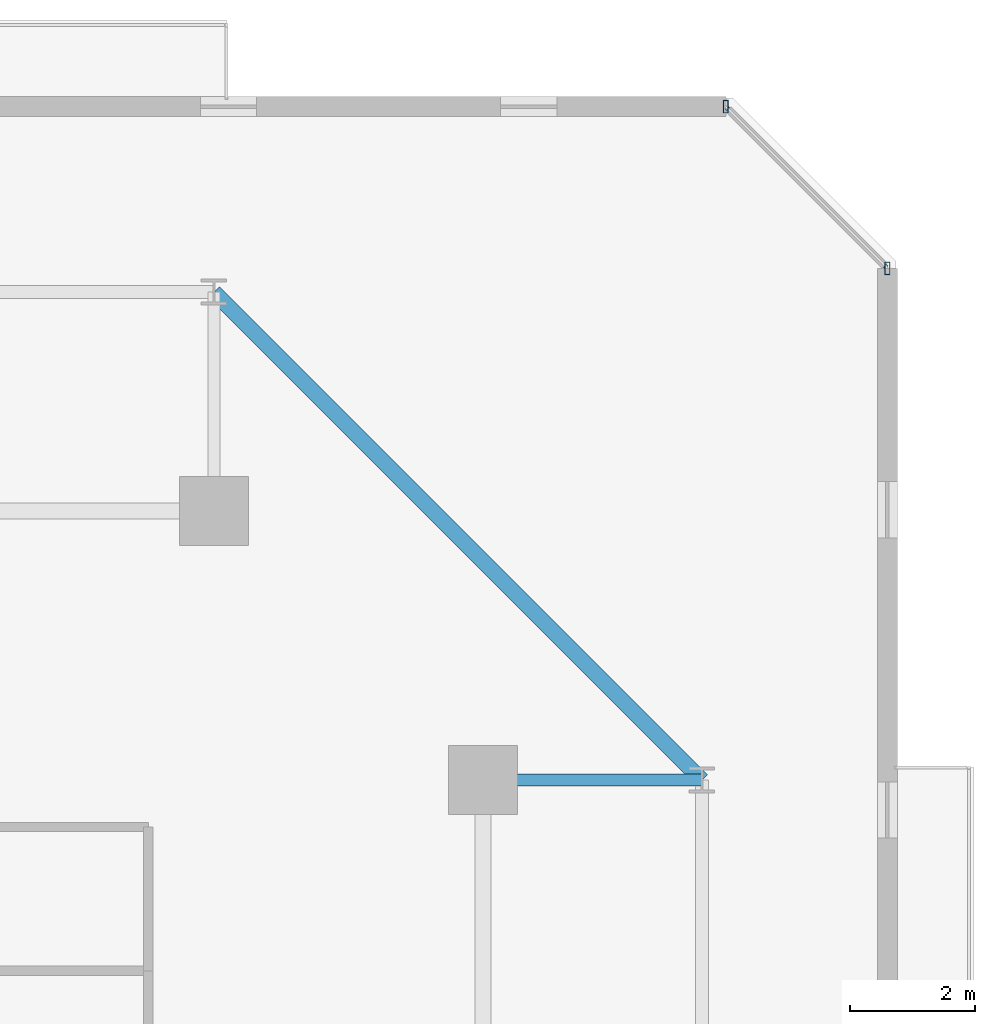
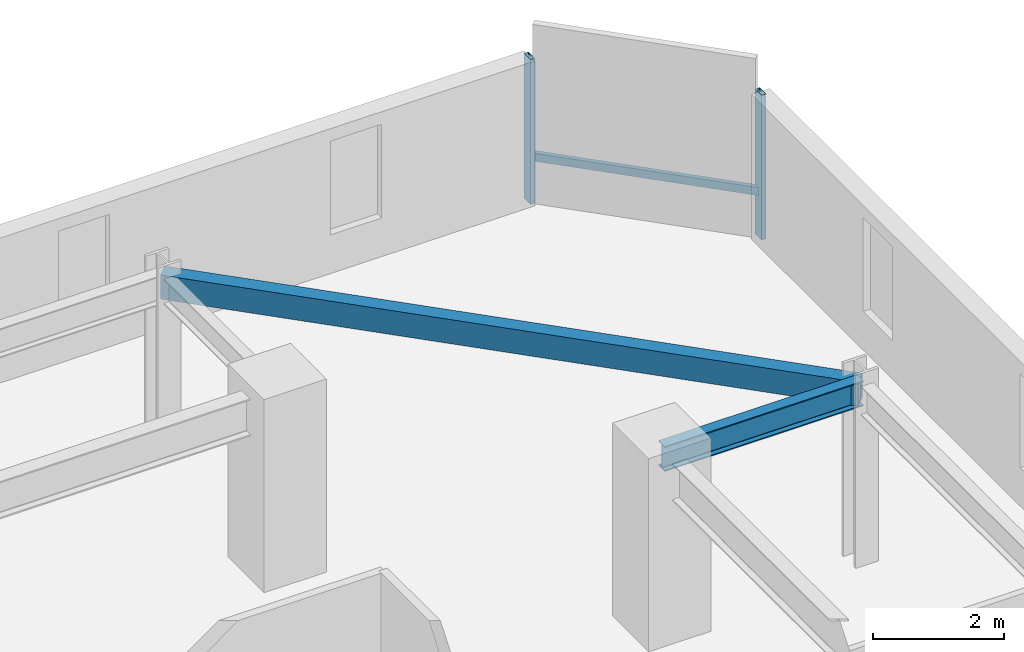
# One storey, part 17 of 33: 3 members, 2 beams, 1 element without a shape of its own.
"""IFC4 building model written with IfcOpenShell, lengths in metres."""

from ifc_helpers import new_model, si_unit, direction, frame, origin, origin_2d, place, context, subcontext, project, spatial, hollow_rectangle, i_section, extrude, material, material_profile, profile_set, type_object, element, aggregate, save


model = new_model("IFC4")

# Units and contexts
model_context = context("Model", 3, precision=1e-05, world=origin(), true_north=direction((0.0, 1.0)))
body_context = subcontext(model_context, "Body", "Model", "MODEL_VIEW")
ifc_project = project(units=[si_unit("LENGTHUNIT", "METRE"), si_unit("AREAUNIT", "SQUARE_METRE"), si_unit("VOLUMEUNIT", "CUBIC_METRE"), si_unit("PLANEANGLEUNIT", "RADIAN"), si_unit("MASSUNIT", "GRAM", prefix="KILO")], contexts=[model_context])

# Site, building, storey
site_placement = place(None, origin())
site = spatial("IfcSite", under=ifc_project, at=site_placement, CompositionType="ELEMENT")
building_placement = place(site_placement, origin())
building = spatial("IfcBuilding", under=site, at=building_placement, Name="Thornwick Lancets Civic Towers", CompositionType="ELEMENT")
storey_placement = place(building_placement, frame((0.0, 0.0, 163.5)))
storey = spatial("IfcBuildingStorey", under=building, at=storey_placement, Name="L43", CompositionType="ELEMENT", Elevation=163.5)

# Beams
ifc_material_1 = material(Name="Steel S355JR", Category="steel")
ifc_material_profile_1 = material_profile(ifc_material_1, i_section(OverallWidth=0.19287109375, OverallDepth=0.46728515625, WebThickness=0.011474609375, FlangeThickness=0.01953125, FilletRadius=0.01025390625, at=origin_2d()), Name="UKB 457x191x98")
ifc_profile_set_1 = profile_set([ifc_material_profile_1], Name="Steel S355JR")
beam_type_1 = type_object("IfcBeamType", Name="BM_JOIST_457_98", PredefinedType="JOIST", material=ifc_profile_set_1)
beam_1_placement = place(storey_placement, frame((105.800048828125, 40.0, 3.12646484375), z_axis=(1.0, 0.0, 0.0), x_axis=(0.0, 1.0, 0.0)))
element("IfcBeam", 1, at=beam_1_placement, inside=storey, type_object=beam_type_1, Name="BM-RAD-L43-B03", PredefinedType="JOIST", context=body_context, shape_type="SweptSolid", body=[
    extrude(i_section(OverallWidth=0.19287109375, OverallDepth=0.46728515625, WebThickness=0.011474609375, FlangeThickness=0.01953125, FilletRadius=0.01025390625, at=origin_2d()), origin(), (0.0, 0.0, 1.0), 3.5),
])
ifc_material_profile_2 = material_profile(ifc_material_1, hollow_rectangle(XDim=0.25, YDim=0.449951171875, WallThickness=0.01611328125, at=origin_2d()), Name="RHS 450x250x16")
ifc_profile_set_2 = profile_set([ifc_material_profile_2], Name="Steel S355JR")
beam_type_2 = type_object("IfcBeamType", Name="BM_RING_RHS450", PredefinedType="BEAM", material=ifc_profile_set_2)
beam_2_placement = place(storey_placement, frame((109.300048828125, 40.0, 3.135009765625), z_axis=(-0.707106781187, 0.707106781187, 0.0), x_axis=(-0.707106781187, -0.707106781187, 0.0)))
element("IfcBeam", 2, at=beam_2_placement, inside=storey, type_object=beam_type_2, Name="BM-CHAMF-L43-B-C0", PredefinedType="BEAM", context=body_context, shape_type="SweptSolid", body=[
    extrude(hollow_rectangle(XDim=0.25, YDim=0.449951171875, WallThickness=0.01611328125, at=origin_2d()), origin(), (0.0, 0.0, 1.0), 11.031005859375),
])

# Curtain wall, members
ifc_material_2 = material(Name="Mid-zone chamfered-corner unitised glass curtain wall", Category="glass")
curtain_wall_type = type_object("IfcCurtainWallType", Name="CW_SYS_04", PredefinedType="NOTDEFINED", material=ifc_material_2)
curtain_wall_placement = place(storey_placement, origin())
curtain_wall = element("IfcCurtainWall", 3, at=curtain_wall_placement, inside=storey, type_object=curtain_wall_type, Name="L43 Curtain Wall CW-L43-B-E3", PredefinedType="NOTDEFINED")
ifc_material_3 = material(Name="Thermally broken bronze aluminium S355", Category="steel")
ifc_material_profile_3 = material_profile(ifc_material_3, hollow_rectangle(XDim=0.080078125, YDim=0.199951171875, WallThickness=0.006103515625, at=origin_2d()), Name="RHS 200x80x6")
ifc_profile_set_3 = profile_set([ifc_material_profile_3], Name="Thermally broken bronze aluminium S355")
member_type_1 = type_object("IfcMemberType", Name="CW_MUL_200", PredefinedType="MULLION", material=ifc_profile_set_3)
member_1_placement = place(storey_placement, frame((112.2646484375, 48.181396484375, 0.0), z_axis=(0.0, 0.0, 1.0), x_axis=(1.0, 0.0, 0.0)))
member_1 = element("IfcMember", 4, at=member_1_placement, type_object=member_type_1, Name="CW-L43-B-E3 Mullion 0", PredefinedType="MULLION", context=body_context, shape_type="SweptSolid", body=[
    extrude(hollow_rectangle(XDim=0.080078125, YDim=0.199951171875, WallThickness=0.006103515625, at=origin_2d()), origin(), (0.0, 0.0, 1.0), 2.699951171875),
])
member_2_placement = place(storey_placement, frame((109.681396484375, 50.7646484375, 0.0), z_axis=(0.0, 0.0, 1.0), x_axis=(1.0, 0.0, 0.0)))
member_2 = element("IfcMember", 5, at=member_2_placement, type_object=member_type_1, Name="CW-L43-B-E3 Mullion 1", PredefinedType="MULLION", context=body_context, shape_type="SweptSolid", body=[
    extrude(hollow_rectangle(XDim=0.080078125, YDim=0.199951171875, WallThickness=0.006103515625, at=origin_2d()), origin(), (0.0, 0.0, 1.0), 2.699951171875),
])
ifc_material_profile_4 = material_profile(ifc_material_3, hollow_rectangle(XDim=0.074951171875, YDim=0.14990234375, WallThickness=0.0048828125, at=origin_2d()), Name="RHS 150x75x5")
ifc_profile_set_4 = profile_set([ifc_material_profile_4], Name="Thermally broken bronze aluminium S355")
member_type_2 = type_object("IfcMemberType", Name="CW_TRN_150", PredefinedType="USERDEFINED", material=ifc_profile_set_4)
member_3_placement = place(storey_placement, frame((112.25048828125, 48.195556640625, 0.85009765625), z_axis=(-0.707106781187, 0.707106781187, 0.0), x_axis=(-0.707106781187, -0.707106781187, 0.0)))
member_3 = element("IfcMember", 6, at=member_3_placement, type_object=member_type_2, Name="CW-L43-B-E3 Transom 0", ObjectType="TRANSOM", PredefinedType="USERDEFINED", context=body_context, shape_type="SweptSolid", body=[
    extrude(hollow_rectangle(XDim=0.074951171875, YDim=0.14990234375, WallThickness=0.0048828125, at=origin_2d()), origin(), (0.0, 0.0, 1.0), 3.61328125),
])
aggregate(curtain_wall, [member_1, member_2, member_3])

save(model, "model.ifc")
